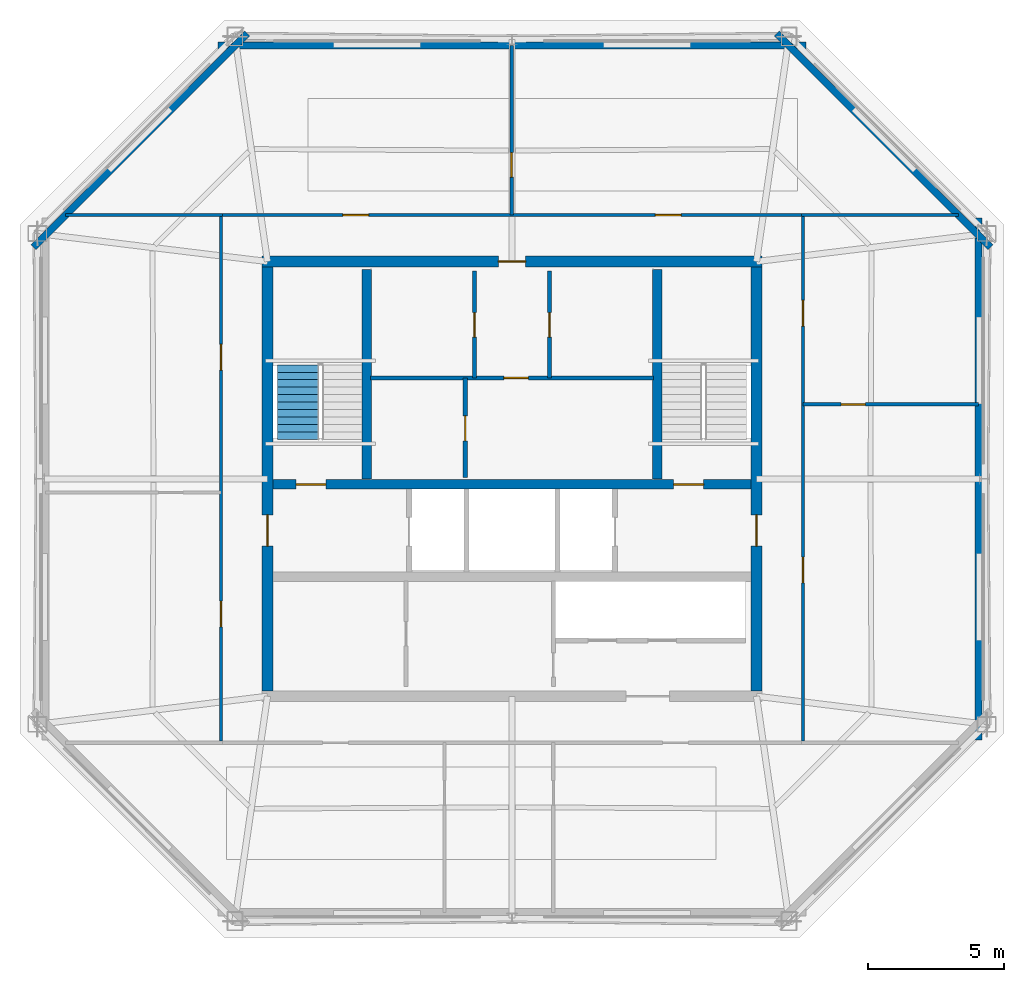
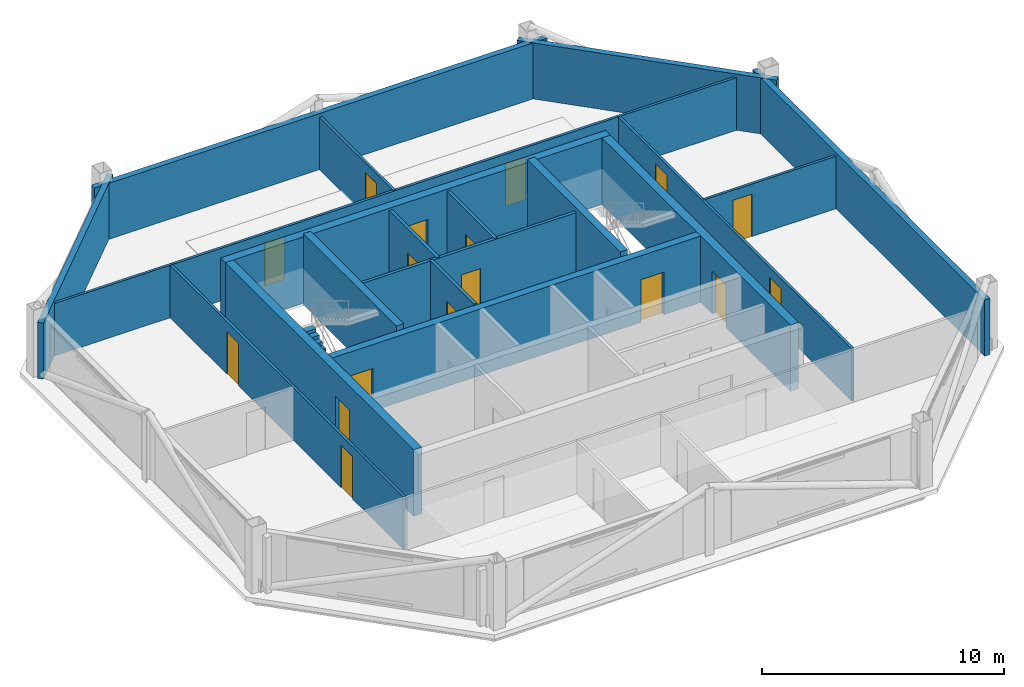
# One storey, part 3 of 5: 21 walls, 17 doors, 1 stair flight, 17 openings, 1 element without a shape of its own.
"""IFC4 building model written with IfcOpenShell, lengths in metres."""

from ifc_helpers import new_model, si_unit, direction, frame, frame_2d, origin, place, context, subcontext, project, spatial, polyline, rectangle, outline, extrude, material, layer, layer_set, type_object, element, fill, aggregate, save


model = new_model("IFC4")

# Units and contexts
model_context = context("Model", 3, precision=1e-05, world=origin(), true_north=direction((0.0, 1.0)))
body_context = subcontext(model_context, "Body", "Model", "MODEL_VIEW")
ifc_project = project(units=[si_unit("LENGTHUNIT", "METRE"), si_unit("AREAUNIT", "SQUARE_METRE"), si_unit("VOLUMEUNIT", "CUBIC_METRE"), si_unit("PLANEANGLEUNIT", "RADIAN"), si_unit("MASSUNIT", "GRAM", prefix="KILO")], contexts=[model_context])

# Site, building, storey
site_placement = place(None, origin())
site = spatial("IfcSite", under=ifc_project, at=site_placement, CompositionType="ELEMENT")
building_placement = place(site_placement, origin())
building = spatial("IfcBuilding", under=site, at=building_placement, Name="Caelvoria Tower", CompositionType="ELEMENT")
storey_placement = place(building_placement, frame((0.0, 0.0, 271.800048828125)))
storey = spatial("IfcBuildingStorey", under=building, at=storey_placement, Name="L72", CompositionType="ELEMENT", Elevation=271.800048828125)

# Wall, openings, doors
ifc_material_1 = material(Name="Concrete C50/60", Category="concrete")
ifc_layer_1 = layer(ifc_material_1, 0.35009765625, Name="Concrete C50/60")
ifc_layer_set_1 = layer_set([ifc_layer_1], Name="Core Internal Shear Wall 350 - Concrete C50/60")
wall_type_1 = type_object("IfcWallType", Name="Core Internal Shear Wall 350", PredefinedType="SHEAR", material=ifc_layer_set_1)
wall_1_placement = place(storey_placement, frame((37.199951171875, 31.800048828125, 0.0), z_axis=(0.0, 0.0, 1.0), x_axis=(1.0, 0.0, 0.0)))
wall_1 = element("IfcWall", 1, at=wall_1_placement, inside=storey, type_object=wall_type_1, Name="Core Shear Wall L72 M1", PredefinedType="SHEAR", context=body_context, shape_type="SweptSolid", body=[
    extrude(rectangle(XDim=17.60009765625, YDim=0.35009765625, at=frame_2d((8.800048828125, 0.0))), origin(), (0.0, 0.0, 1.0), 3.35986328125),
])
opening_1_placement = place(wall_1_placement, frame((0.85009765625, 0.0, 0.0)))
opening_1 = element("IfcOpeningElement", 2, at=opening_1_placement, cuts=wall_1, Name="Opening ID-01", PredefinedType="OPENING", context=body_context, shape_type="SweptSolid", body=[
    extrude(rectangle(XDim=1.10009765625, YDim=2.14990234375, at=frame_2d((0.550048828125, 1.074951171875))), frame((0.0, 0.18505859375, 0.0), z_axis=(0.0, -1.0, 0.0), x_axis=(1.0, 0.0, 0.0)), (0.0, 0.0, 1.0), 0.3701171875),
])
opening_2_placement = place(wall_1_placement, frame((14.75, 0.0, 0.0)))
opening_2 = element("IfcOpeningElement", 3, at=opening_2_placement, cuts=wall_1, Name="Opening ID-01", PredefinedType="OPENING", context=body_context, shape_type="SweptSolid", body=[
    extrude(rectangle(XDim=1.10009765625, YDim=2.14990234375, at=frame_2d((0.550048828125, 1.074951171875))), frame((0.0, 0.18505859375, 0.0), z_axis=(0.0, -1.0, 0.0), x_axis=(1.0, 0.0, 0.0)), (0.0, 0.0, 1.0), 0.3701171875),
])
ifc_material_2 = material(Name="Painted Hollow Steel Fire Door", Category="steel")
door_type_1 = type_object("IfcDoorType", Name="Fire Door FD90S 1100x2150", OperationType="NOTDEFINED", PredefinedType="DOOR", material=ifc_material_2)
door_1_placement = place(opening_1_placement, origin())
door_1 = element("IfcDoor", 4, at=door_1_placement, inside=storey, type_object=door_type_1, Name="Core Door DR-L72-ST1", OperationType="SINGLE_SWING_LEFT", OverallHeight=2.14990234375, OverallWidth=1.10009765625, PredefinedType="DOOR", context=body_context, shape_type="SweptSolid", body=[
    extrude(rectangle(XDim=1.10009765625, YDim=2.14990234375, at=frame_2d((0.550048828125, 1.074951171875))), frame((0.0, 0.02490234375, 0.0), z_axis=(0.0, -1.0, 0.0), x_axis=(1.0, 0.0, 0.0)), (0.0, 0.0, 1.0), 0.050048828125),
])
fill(opening_1, door_1)
door_2_placement = place(opening_2_placement, origin())
door_2 = element("IfcDoor", 5, at=door_2_placement, inside=storey, type_object=door_type_1, Name="Core Door DR-L72-ST2", OperationType="SINGLE_SWING_RIGHT", OverallHeight=2.14990234375, OverallWidth=1.10009765625, PredefinedType="DOOR", context=body_context, shape_type="SweptSolid", body=[
    extrude(rectangle(XDim=1.10009765625, YDim=2.14990234375, at=frame_2d((0.550048828125, 1.074951171875))), frame((0.0, 0.02490234375, 0.0), z_axis=(0.0, -1.0, 0.0), x_axis=(1.0, 0.0, 0.0)), (0.0, 0.0, 1.0), 0.050048828125),
])
fill(opening_2, door_2)

# Walls
for number, where, z_axis, x_axis, name in (
    (6, (40.64990234375, 32.0, 0.0), (0.0, 0.0, 1.0), (0.0, 1.0, 0.0), "Interior Partition IW-L72-ST1E"),
    (7, (51.35009765625, 32.0, 0.0), (0.0, 0.0, 1.0), (0.0, 1.0, 0.0), "Interior Partition IW-L72-ST2W"),
):
    element("IfcWall", number, at=place(storey_placement, frame(where, z_axis=z_axis, x_axis=x_axis)), inside=storey, type_object=wall_type_1, Name=name, PredefinedType="SHEAR", context=body_context, shape_type="SweptSolid", body=[
        extrude(rectangle(XDim=7.699951171875, YDim=0.35009765625, at=frame_2d((3.85009765625, 0.0))), origin(), (0.0, 0.0, 1.0), 3.599853515625),
    ])

# Wall, opening, door
ifc_material_3 = material(Name="Double Gypsum Board on Steel Stud", Category="steel")
ifc_layer_2 = layer(ifc_material_3, 0.14990234375, Name="Double Gypsum Board on Steel Stud")
ifc_layer_set_2 = layer_set([ifc_layer_2], Name="Core Service Acoustic Partition Wall 150 - Double Gypsum Board on Steel Stud")
wall_type_2 = type_object("IfcWallType", Name="Core Service Acoustic Partition Wall 150", PredefinedType="PARTITIONING", material=ifc_layer_set_2)
wall_2_placement = place(storey_placement, frame((44.6201171875, 35.719970703125, 0.0), z_axis=(0.0, 0.0, 1.0), x_axis=(0.0, 1.0, 0.0)))
wall_2 = element("IfcWall", 8, at=wall_2_placement, inside=storey, type_object=wall_type_2, Name="Interior Partition IW-L72-C0L", PredefinedType="PARTITIONING", context=body_context, shape_type="SweptSolid", body=[
    extrude(rectangle(XDim=3.929931640625, YDim=0.14990234375, at=frame_2d((1.96484375, 0.0))), origin(), (0.0, 0.0, 1.0), 3.375),
])
opening_3_placement = place(wall_2_placement, frame((1.5, 0.0, 0.0)))
opening_3 = element("IfcOpeningElement", 9, at=opening_3_placement, cuts=wall_2, Name="Opening ID-06", PredefinedType="OPENING", context=body_context, shape_type="SweptSolid", body=[
    extrude(rectangle(XDim=0.89990234375, YDim=2.14990234375, at=frame_2d((0.449951171875, 1.074951171875))), frame((0.0, 0.0849609375, 0.0), z_axis=(0.0, -1.0, 0.0), x_axis=(1.0, 0.0, 0.0)), (0.0, 0.0, 1.0), 0.169921875),
])
ifc_material_4 = material(Name="Engineered Andean Oak Veneer Door", Category="wood")
door_type_2 = type_object("IfcDoorType", Name="Interior Timber Door 900x2150", OperationType="NOTDEFINED", PredefinedType="DOOR", material=ifc_material_4)
door_3_placement = place(opening_3_placement, origin())
door_3 = element("IfcDoor", 10, at=door_3_placement, inside=storey, type_object=door_type_2, Name="Interior Door DR-L72-C01", OperationType="SINGLE_SWING_LEFT", OverallHeight=2.14990234375, OverallWidth=0.89990234375, PredefinedType="DOOR", context=body_context, shape_type="SweptSolid", body=[
    extrude(rectangle(XDim=0.89990234375, YDim=2.14990234375, at=frame_2d((0.449951171875, 1.074951171875))), frame((0.0, 0.02490234375, 0.0), z_axis=(0.0, -1.0, 0.0), x_axis=(1.0, 0.0, 0.0)), (0.0, 0.0, 1.0), 0.050048828125),
])
fill(opening_3, door_3)

wall_3_placement = place(storey_placement, frame((47.3798828125, 35.719970703125, 0.0), z_axis=(0.0, 0.0, 1.0), x_axis=(0.0, 1.0, 0.0)))
wall_3 = element("IfcWall", 11, at=wall_3_placement, inside=storey, type_object=wall_type_2, Name="Interior Partition IW-L72-C0R", PredefinedType="PARTITIONING", context=body_context, shape_type="SweptSolid", body=[
    extrude(rectangle(XDim=3.929931640625, YDim=0.14990234375, at=frame_2d((1.96484375, 0.0))), origin(), (0.0, 0.0, 1.0), 3.375),
])
opening_4_placement = place(wall_3_placement, frame((1.5, 0.0, 0.0)))
opening_4 = element("IfcOpeningElement", 12, at=opening_4_placement, cuts=wall_3, Name="Opening ID-06", PredefinedType="OPENING", context=body_context, shape_type="SweptSolid", body=[
    extrude(rectangle(XDim=0.89990234375, YDim=2.14990234375, at=frame_2d((0.449951171875, 1.074951171875))), frame((0.0, 0.0849609375, 0.0), z_axis=(0.0, -1.0, 0.0), x_axis=(1.0, 0.0, 0.0)), (0.0, 0.0, 1.0), 0.169921875),
])
door_4_placement = place(opening_4_placement, origin())
door_4 = element("IfcDoor", 13, at=door_4_placement, inside=storey, type_object=door_type_2, Name="Interior Door DR-L72-C02", OperationType="SINGLE_SWING_RIGHT", OverallHeight=2.14990234375, OverallWidth=0.89990234375, PredefinedType="DOOR", context=body_context, shape_type="SweptSolid", body=[
    extrude(rectangle(XDim=0.89990234375, YDim=2.14990234375, at=frame_2d((0.449951171875, 1.074951171875))), frame((0.0, 0.02490234375, 0.0), z_axis=(0.0, -1.0, 0.0), x_axis=(1.0, 0.0, 0.0)), (0.0, 0.0, 1.0), 0.050048828125),
])
fill(opening_4, door_4)

wall_4_placement = place(storey_placement, frame((44.280029296875, 32.050048828125, 0.0), z_axis=(0.0, 0.0, 1.0), x_axis=(0.0, 1.0, 0.0)))
wall_4 = element("IfcWall", 14, at=wall_4_placement, inside=storey, type_object=wall_type_2, Name="Interior Partition IW-L72-C0M", PredefinedType="PARTITIONING", context=body_context, shape_type="SweptSolid", body=[
    extrude(rectangle(XDim=3.669921875, YDim=0.14990234375, at=frame_2d((1.8349609375, 0.0))), origin(), (0.0, 0.0, 1.0), 3.375),
])
opening_5_placement = place(wall_4_placement, frame((1.35009765625, 0.0, 0.0)))
opening_5 = element("IfcOpeningElement", 15, at=opening_5_placement, cuts=wall_4, Name="Opening ID-07", PredefinedType="OPENING", context=body_context, shape_type="SweptSolid", body=[
    extrude(rectangle(XDim=0.919921875, YDim=2.14990234375, at=frame_2d((0.4599609375, 1.074951171875))), frame((0.0, 0.0849609375, 0.0), z_axis=(0.0, -1.0, 0.0), x_axis=(1.0, 0.0, 0.0)), (0.0, 0.0, 1.0), 0.169921875),
])
ifc_material_5 = material(Name="Engineered Andean Oak Accessible Door", Category="wood")
door_type_3 = type_object("IfcDoorType", Name="Accessible WC Door 950x2150", OperationType="NOTDEFINED", PredefinedType="DOOR", material=ifc_material_5)
door_5_placement = place(opening_5_placement, origin())
door_5 = element("IfcDoor", 16, at=door_5_placement, inside=storey, type_object=door_type_3, Name="Interior Door DR-L72-C05", OperationType="SINGLE_SWING_LEFT", OverallHeight=2.14990234375, OverallWidth=0.919921875, PredefinedType="DOOR", context=body_context, shape_type="SweptSolid", body=[
    extrude(rectangle(XDim=0.919921875, YDim=2.14990234375, at=frame_2d((0.4599609375, 1.074951171875))), frame((0.0, 0.02490234375, 0.0), z_axis=(0.0, -1.0, 0.0), x_axis=(1.0, 0.0, 0.0)), (0.0, 0.0, 1.0), 0.050048828125),
])
fill(opening_5, door_5)

wall_5_placement = place(storey_placement, frame((40.800048828125, 35.719970703125, 0.0), z_axis=(0.0, 0.0, 1.0), x_axis=(1.0, 0.0, 0.0)))
wall_5 = element("IfcWall", 17, at=wall_5_placement, inside=storey, type_object=wall_type_2, Name="Interior Partition IW-L72-C0H", PredefinedType="PARTITIONING", context=body_context, shape_type="SweptSolid", body=[
    extrude(rectangle(XDim=10.39990234375, YDim=0.14990234375, at=frame_2d((5.199951171875, 0.0))), origin(), (0.0, 0.0, 1.0), 3.375),
])
opening_6_placement = place(wall_5_placement, frame((4.89990234375, 0.0, 0.0)))
opening_6 = element("IfcOpeningElement", 18, at=opening_6_placement, cuts=wall_5, Name="Opening ID-04", PredefinedType="OPENING", context=body_context, shape_type="SweptSolid", body=[
    extrude(rectangle(XDim=0.89990234375, YDim=2.14990234375, at=frame_2d((0.449951171875, 1.074951171875))), frame((0.0, 0.0849609375, 0.0), z_axis=(0.0, -1.0, 0.0), x_axis=(1.0, 0.0, 0.0)), (0.0, 0.0, 1.0), 0.169921875),
])
ifc_material_6 = material(Name="Acoustic Timber Fire Door", Category="wood")
door_type_4 = type_object("IfcDoorType", Name="Fire Door FD30S 900x2150", OperationType="NOTDEFINED", PredefinedType="DOOR", material=ifc_material_6)
door_6_placement = place(opening_6_placement, origin())
door_6 = element("IfcDoor", 19, at=door_6_placement, inside=storey, type_object=door_type_4, Name="Interior Door DR-L72-C04", OperationType="SINGLE_SWING_RIGHT", OverallHeight=2.14990234375, OverallWidth=0.89990234375, PredefinedType="DOOR", context=body_context, shape_type="SweptSolid", body=[
    extrude(rectangle(XDim=0.89990234375, YDim=2.14990234375, at=frame_2d((0.449951171875, 1.074951171875))), frame((0.0, 0.02490234375, 0.0), z_axis=(0.0, -1.0, 0.0), x_axis=(1.0, 0.0, 0.0)), (0.0, 0.0, 1.0), 0.050048828125),
])
fill(opening_6, door_6)

ifc_layer_3 = layer(ifc_material_1, 0.39990234375, Name="Concrete C50/60")
ifc_layer_set_3 = layer_set([ifc_layer_3], Name="Summit Core Shear Wall 400 - Concrete C50/60")
wall_type_3 = type_object("IfcWallType", Name="Summit Core Shear Wall 400", PredefinedType="SHEAR", material=ifc_layer_set_3)
wall_6_placement = place(storey_placement, frame((36.800048828125, 40.0, 0.0), z_axis=(0.0, 0.0, 1.0), x_axis=(1.0, 0.0, 0.0)))
wall_6 = element("IfcWall", 20, at=wall_6_placement, inside=storey, type_object=wall_type_3, Name="Core Shear Wall L72 N", PredefinedType="SHEAR", context=body_context, shape_type="SweptSolid", body=[
    extrude(rectangle(XDim=18.39990234375, YDim=0.39990234375, at=frame_2d((9.199951171875, 0.0))), origin(), (0.0, 0.0, 1.0), 3.35986328125),
])
opening_7_placement = place(wall_6_placement, frame((8.699951171875, 0.0, 0.0)))
opening_7 = element("IfcOpeningElement", 21, at=opening_7_placement, cuts=wall_6, Name="Opening ID-03", PredefinedType="OPENING", context=body_context, shape_type="SweptSolid", body=[
    extrude(rectangle(XDim=1.0, YDim=2.14990234375, at=frame_2d((0.5, 1.074951171875))), frame((0.0, 0.2099609375, 0.0), z_axis=(0.0, -1.0, 0.0), x_axis=(1.0, 0.0, 0.0)), (0.0, 0.0, 1.0), 0.419921875),
])
door_type_5 = type_object("IfcDoorType", Name="Fire Door FD60S 1000x2150", OperationType="NOTDEFINED", PredefinedType="DOOR", material=ifc_material_2)
door_7_placement = place(opening_7_placement, origin())
door_7 = element("IfcDoor", 22, at=door_7_placement, inside=storey, type_object=door_type_5, Name="Core Door DR-L72-WC-MAIN", OperationType="SINGLE_SWING_RIGHT", OverallHeight=2.14990234375, OverallWidth=1.0, PredefinedType="DOOR", context=body_context, shape_type="SweptSolid", body=[
    extrude(rectangle(XDim=1.0, YDim=2.14990234375, at=frame_2d((0.5, 1.074951171875))), frame((0.0, 0.02490234375, 0.0), z_axis=(0.0, -1.0, 0.0), x_axis=(1.0, 0.0, 0.0)), (0.0, 0.0, 1.0), 0.050048828125),
])
fill(opening_7, door_7)

wall_7_placement = place(storey_placement, frame((37.0, 24.199951171875, 0.0), z_axis=(0.0, 0.0, 1.0), x_axis=(0.0, 1.0, 0.0)))
wall_7 = element("IfcWall", 23, at=wall_7_placement, inside=storey, type_object=wall_type_3, Name="Core Shear Wall L72 W", PredefinedType="SHEAR", context=body_context, shape_type="SweptSolid", body=[
    extrude(rectangle(XDim=15.60009765625, YDim=0.39990234375, at=frame_2d((7.800048828125, 0.0))), origin(), (0.0, 0.0, 1.0), 3.35986328125),
])
opening_8_placement = place(wall_7_placement, frame((5.324951171875, 0.0, 0.0)))
opening_8 = element("IfcOpeningElement", 24, at=opening_8_placement, cuts=wall_7, Name="Opening ID-02", PredefinedType="OPENING", context=body_context, shape_type="SweptSolid", body=[
    extrude(rectangle(XDim=1.14990234375, YDim=2.14990234375, at=frame_2d((0.574951171875, 1.074951171875))), frame((0.0, 0.2099609375, 0.0), z_axis=(0.0, -1.0, 0.0), x_axis=(1.0, 0.0, 0.0)), (0.0, 0.0, 1.0), 0.419921875),
])
door_type_6 = type_object("IfcDoorType", Name="Fire Door FD60S 1150x2150", OperationType="NOTDEFINED", PredefinedType="DOOR", material=ifc_material_2)
door_8_placement = place(opening_8_placement, origin())
door_8 = element("IfcDoor", 25, at=door_8_placement, inside=storey, type_object=door_type_6, Name="Core Door DR-L72-FFLW-OUT", OperationType="SINGLE_SWING_LEFT", OverallHeight=2.14990234375, OverallWidth=1.14990234375, PredefinedType="DOOR", context=body_context, shape_type="SweptSolid", body=[
    extrude(rectangle(XDim=1.14990234375, YDim=2.14990234375, at=frame_2d((0.574951171875, 1.074951171875))), frame((0.0, 0.02490234375, 0.0), z_axis=(0.0, -1.0, 0.0), x_axis=(1.0, 0.0, 0.0)), (0.0, 0.0, 1.0), 0.050048828125),
])
fill(opening_8, door_8)

wall_8_placement = place(storey_placement, frame((55.0, 24.199951171875, 0.0), z_axis=(0.0, 0.0, 1.0), x_axis=(0.0, 1.0, 0.0)))
wall_8 = element("IfcWall", 26, at=wall_8_placement, inside=storey, type_object=wall_type_3, Name="Core Shear Wall L72 E", PredefinedType="SHEAR", context=body_context, shape_type="SweptSolid", body=[
    extrude(rectangle(XDim=15.60009765625, YDim=0.39990234375, at=frame_2d((7.800048828125, 0.0))), origin(), (0.0, 0.0, 1.0), 3.35986328125),
])
opening_9_placement = place(wall_8_placement, frame((5.324951171875, 0.0, 0.0)))
opening_9 = element("IfcOpeningElement", 27, at=opening_9_placement, cuts=wall_8, Name="Opening ID-02", PredefinedType="OPENING", context=body_context, shape_type="SweptSolid", body=[
    extrude(rectangle(XDim=1.14990234375, YDim=2.14990234375, at=frame_2d((0.574951171875, 1.074951171875))), frame((0.0, 0.2099609375, 0.0), z_axis=(0.0, -1.0, 0.0), x_axis=(1.0, 0.0, 0.0)), (0.0, 0.0, 1.0), 0.419921875),
])
door_9_placement = place(opening_9_placement, origin())
door_9 = element("IfcDoor", 28, at=door_9_placement, inside=storey, type_object=door_type_6, Name="Core Door DR-L72-FFLE-OUT", OperationType="SINGLE_SWING_RIGHT", OverallHeight=2.14990234375, OverallWidth=1.14990234375, PredefinedType="DOOR", context=body_context, shape_type="SweptSolid", body=[
    extrude(rectangle(XDim=1.14990234375, YDim=2.14990234375, at=frame_2d((0.574951171875, 1.074951171875))), frame((0.0, 0.02490234375, 0.0), z_axis=(0.0, -1.0, 0.0), x_axis=(1.0, 0.0, 0.0)), (0.0, 0.0, 1.0), 0.050048828125),
])
fill(opening_9, door_9)

ifc_material_7 = material(Name="Acoustic Gypsum Board on Light-Gauge Stud", Category="gypsum")
ifc_layer_4 = layer(ifc_material_7, 0.1201171875, Name="Acoustic Gypsum Board on Light-Gauge Stud")
ifc_layer_set_4 = layer_set([ifc_layer_4], Name="Tenant Suite Acoustic Partition Wall 120 - Acoustic Gypsum Board on Light-Gauge Stud")
wall_type_4 = type_object("IfcWallType", Name="Tenant Suite Acoustic Partition Wall 120", PredefinedType="PARTITIONING", material=ifc_layer_set_4)
wall_9_placement = place(storey_placement, frame((45.9873046875, 41.7099609375, 0.0), z_axis=(0.0, 0.0, 1.0), x_axis=(0.0, 1.0, 0.0)))
wall_9 = element("IfcWall", 29, at=wall_9_placement, inside=storey, type_object=wall_type_4, Name="Interior Partition IW-L72-ND-00-0", PredefinedType="PARTITIONING", context=body_context, shape_type="SweptSolid", body=[
    extrude(rectangle(XDim=6.240966796875, YDim=0.1201171875, at=frame_2d((3.12060546875, 0.0))), origin(), (0.0, 0.0, 1.0), 2.655029296875),
])
opening_10_placement = place(wall_9_placement, frame((1.39990234375, 0.0, 0.0)))
opening_10 = element("IfcOpeningElement", 30, at=opening_10_placement, cuts=wall_9, Name="Opening ID-06", PredefinedType="OPENING", context=body_context, shape_type="SweptSolid", body=[
    extrude(rectangle(XDim=0.89990234375, YDim=2.14990234375, at=frame_2d((0.449951171875, 1.074951171875))), frame((0.0, 0.070068359375, 0.0), z_axis=(0.0, -1.0, 0.0), x_axis=(1.0, 0.0, 0.0)), (0.0, 0.0, 1.0), 0.14013671875),
])
door_10_placement = place(opening_10_placement, origin())
door_10 = element("IfcDoor", 31, at=door_10_placement, inside=storey, type_object=door_type_2, Name="Interior Door DR-L72-NM-00-0", OperationType="SINGLE_SWING_RIGHT", OverallHeight=2.14990234375, OverallWidth=0.89990234375, PredefinedType="DOOR", context=body_context, shape_type="SweptSolid", body=[
    extrude(rectangle(XDim=0.89990234375, YDim=2.14990234375, at=frame_2d((0.449951171875, 1.074951171875))), frame((0.0, 0.02490234375, 0.0), z_axis=(0.0, -1.0, 0.0), x_axis=(1.0, 0.0, 0.0)), (0.0, 0.0, 1.0), 0.050048828125),
])
fill(opening_10, door_10)

# Wall, openings, doors
wall_10_placement = place(storey_placement, frame((35.35009765625, 41.7099609375, 0.0), z_axis=(0.0, 0.0, 1.0), x_axis=(1.0, 0.0, 0.0)))
wall_10 = element("IfcWall", 32, at=wall_10_placement, inside=storey, type_object=wall_type_4, Name="Interior Partition IW-L72-NCW-0", PredefinedType="PARTITIONING", context=body_context, shape_type="SweptSolid", body=[
    extrude(rectangle(XDim=21.2998046875, YDim=0.1201171875, at=frame_2d((10.64990234375, 0.0))), origin(), (0.0, 0.0, 1.0), 2.655029296875),
])
opening_11_placement = place(wall_10_placement, frame((4.425048828125, 0.0, 0.0)))
opening_11 = element("IfcOpeningElement", 33, at=opening_11_placement, cuts=wall_10, Name="Opening ID-05", PredefinedType="OPENING", context=body_context, shape_type="SweptSolid", body=[
    extrude(rectangle(XDim=0.949951171875, YDim=2.14990234375, at=frame_2d((0.47509765625, 1.074951171875))), frame((0.0, 0.070068359375, 0.0), z_axis=(0.0, -1.0, 0.0), x_axis=(1.0, 0.0, 0.0)), (0.0, 0.0, 1.0), 0.14013671875),
])
opening_12_placement = place(wall_10_placement, frame((15.925048828125, 0.0, 0.0)))
opening_12 = element("IfcOpeningElement", 34, at=opening_12_placement, cuts=wall_10, Name="Opening ID-05", PredefinedType="OPENING", context=body_context, shape_type="SweptSolid", body=[
    extrude(rectangle(XDim=0.949951171875, YDim=2.14990234375, at=frame_2d((0.47509765625, 1.074951171875))), frame((0.0, 0.070068359375, 0.0), z_axis=(0.0, -1.0, 0.0), x_axis=(1.0, 0.0, 0.0)), (0.0, 0.0, 1.0), 0.14013671875),
])
door_type_7 = type_object("IfcDoorType", Name="Interior Timber Door 950x2150", OperationType="NOTDEFINED", PredefinedType="DOOR", material=ifc_material_4)
door_11_placement = place(opening_11_placement, origin())
door_11 = element("IfcDoor", 35, at=door_11_placement, inside=storey, type_object=door_type_7, Name="Interior Door DR-L72-NC-00-0", OperationType="SINGLE_SWING_LEFT", OverallHeight=2.14990234375, OverallWidth=0.949951171875, PredefinedType="DOOR", context=body_context, shape_type="SweptSolid", body=[
    extrude(rectangle(XDim=0.949951171875, YDim=2.14990234375, at=frame_2d((0.47509765625, 1.074951171875))), frame((0.0, 0.02490234375, 0.0), z_axis=(0.0, -1.0, 0.0), x_axis=(1.0, 0.0, 0.0)), (0.0, 0.0, 1.0), 0.050048828125),
])
fill(opening_11, door_11)
door_12_placement = place(opening_12_placement, origin())
door_12 = element("IfcDoor", 36, at=door_12_placement, inside=storey, type_object=door_type_7, Name="Interior Door DR-L72-NC-01-0", OperationType="SINGLE_SWING_RIGHT", OverallHeight=2.14990234375, OverallWidth=0.949951171875, PredefinedType="DOOR", context=body_context, shape_type="SweptSolid", body=[
    extrude(rectangle(XDim=0.949951171875, YDim=2.14990234375, at=frame_2d((0.47509765625, 1.074951171875))), frame((0.0, 0.02490234375, 0.0), z_axis=(0.0, -1.0, 0.0), x_axis=(1.0, 0.0, 0.0)), (0.0, 0.0, 1.0), 0.050048828125),
])
fill(opening_12, door_12)

wall_11_placement = place(storey_placement, frame((35.2900390625, 22.35009765625, 0.0), z_axis=(0.0, 0.0, 1.0), x_axis=(0.0, 1.0, 0.0)))
wall_11 = element("IfcWall", 37, at=wall_11_placement, inside=storey, type_object=wall_type_4, Name="Interior Partition IW-L72-WCW-0", PredefinedType="PARTITIONING", context=body_context, shape_type="SweptSolid", body=[
    extrude(rectangle(XDim=19.2998046875, YDim=0.1201171875, at=frame_2d((9.64990234375, 0.0))), origin(), (0.0, 0.0, 1.0), 2.655029296875),
])
opening_13_placement = place(wall_11_placement, frame((4.201416015625, 0.0, 0.0)))
opening_13 = element("IfcOpeningElement", 38, at=opening_13_placement, cuts=wall_11, Name="Opening ID-05", PredefinedType="OPENING", context=body_context, shape_type="SweptSolid", body=[
    extrude(rectangle(XDim=0.949951171875, YDim=2.14990234375, at=frame_2d((0.47509765625, 1.074951171875))), frame((0.0, 0.070068359375, 0.0), z_axis=(0.0, -1.0, 0.0), x_axis=(1.0, 0.0, 0.0)), (0.0, 0.0, 1.0), 0.14013671875),
])
opening_14_placement = place(wall_11_placement, frame((13.6513671875, 0.0, 0.0)))
opening_14 = element("IfcOpeningElement", 39, at=opening_14_placement, cuts=wall_11, Name="Opening ID-05", PredefinedType="OPENING", context=body_context, shape_type="SweptSolid", body=[
    extrude(rectangle(XDim=0.949951171875, YDim=2.14990234375, at=frame_2d((0.47509765625, 1.074951171875))), frame((0.0, 0.070068359375, 0.0), z_axis=(0.0, -1.0, 0.0), x_axis=(1.0, 0.0, 0.0)), (0.0, 0.0, 1.0), 0.14013671875),
])
door_13_placement = place(opening_13_placement, origin())
door_13 = element("IfcDoor", 40, at=door_13_placement, inside=storey, type_object=door_type_7, Name="Interior Door DR-L72-WC-00-0", OperationType="SINGLE_SWING_LEFT", OverallHeight=2.14990234375, OverallWidth=0.949951171875, PredefinedType="DOOR", context=body_context, shape_type="SweptSolid", body=[
    extrude(rectangle(XDim=0.949951171875, YDim=2.14990234375, at=frame_2d((0.47509765625, 1.074951171875))), frame((0.0, 0.02490234375, 0.0), z_axis=(0.0, -1.0, 0.0), x_axis=(1.0, 0.0, 0.0)), (0.0, 0.0, 1.0), 0.050048828125),
])
fill(opening_13, door_13)
door_14_placement = place(opening_14_placement, origin())
door_14 = element("IfcDoor", 41, at=door_14_placement, inside=storey, type_object=door_type_7, Name="Interior Door DR-L72-WC-01-0", OperationType="SINGLE_SWING_RIGHT", OverallHeight=2.14990234375, OverallWidth=0.949951171875, PredefinedType="DOOR", context=body_context, shape_type="SweptSolid", body=[
    extrude(rectangle(XDim=0.949951171875, YDim=2.14990234375, at=frame_2d((0.47509765625, 1.074951171875))), frame((0.0, 0.02490234375, 0.0), z_axis=(0.0, -1.0, 0.0), x_axis=(1.0, 0.0, 0.0)), (0.0, 0.0, 1.0), 0.050048828125),
])
fill(opening_14, door_14)

# Wall, opening, door
wall_12_placement = place(storey_placement, frame((56.7099609375, 34.744873046875, 0.0), z_axis=(0.0, 0.0, 1.0), x_axis=(1.0, 0.0, 0.0)))
wall_12 = element("IfcWall", 42, at=wall_12_placement, inside=storey, type_object=wall_type_4, Name="Interior Partition IW-L72-ED-00-0", PredefinedType="PARTITIONING", context=body_context, shape_type="SweptSolid", body=[
    extrude(rectangle(XDim=6.459228515625, YDim=0.1201171875, at=frame_2d((3.2294921875, 0.0))), origin(), (0.0, 0.0, 1.0), 2.655029296875),
])
opening_15_placement = place(wall_12_placement, frame((1.39990234375, 0.0, 0.0)))
opening_15 = element("IfcOpeningElement", 43, at=opening_15_placement, cuts=wall_12, Name="Opening ID-06", PredefinedType="OPENING", context=body_context, shape_type="SweptSolid", body=[
    extrude(rectangle(XDim=0.89990234375, YDim=2.14990234375, at=frame_2d((0.449951171875, 1.074951171875))), frame((0.0, 0.070068359375, 0.0), z_axis=(0.0, -1.0, 0.0), x_axis=(1.0, 0.0, 0.0)), (0.0, 0.0, 1.0), 0.14013671875),
])
door_15_placement = place(opening_15_placement, origin())
door_15 = element("IfcDoor", 44, at=door_15_placement, inside=storey, type_object=door_type_2, Name="Interior Door DR-L72-EM-00-0", OperationType="SINGLE_SWING_RIGHT", OverallHeight=2.14990234375, OverallWidth=0.89990234375, PredefinedType="DOOR", context=body_context, shape_type="SweptSolid", body=[
    extrude(rectangle(XDim=0.89990234375, YDim=2.14990234375, at=frame_2d((0.449951171875, 1.074951171875))), frame((0.0, 0.02490234375, 0.0), z_axis=(0.0, -1.0, 0.0), x_axis=(1.0, 0.0, 0.0)), (0.0, 0.0, 1.0), 0.050048828125),
])
fill(opening_15, door_15)

# Wall, openings, doors
wall_13_placement = place(storey_placement, frame((56.7099609375, 22.35009765625, 0.0), z_axis=(0.0, 0.0, 1.0), x_axis=(0.0, 1.0, 0.0)))
wall_13 = element("IfcWall", 45, at=wall_13_placement, inside=storey, type_object=wall_type_4, Name="Interior Partition IW-L72-ECW-0", PredefinedType="PARTITIONING", context=body_context, shape_type="SweptSolid", body=[
    extrude(rectangle(XDim=19.2998046875, YDim=0.1201171875, at=frame_2d((9.64990234375, 0.0))), origin(), (0.0, 0.0, 1.0), 2.655029296875),
])
opening_16_placement = place(wall_13_placement, frame((5.822509765625, 0.0, 0.0)))
opening_16 = element("IfcOpeningElement", 46, at=opening_16_placement, cuts=wall_13, Name="Opening ID-05", PredefinedType="OPENING", context=body_context, shape_type="SweptSolid", body=[
    extrude(rectangle(XDim=0.949951171875, YDim=2.14990234375, at=frame_2d((0.47509765625, 1.074951171875))), frame((0.0, 0.070068359375, 0.0), z_axis=(0.0, -1.0, 0.0), x_axis=(1.0, 0.0, 0.0)), (0.0, 0.0, 1.0), 0.14013671875),
])
opening_17_placement = place(wall_13_placement, frame((15.2724609375, 0.0, 0.0)))
opening_17 = element("IfcOpeningElement", 47, at=opening_17_placement, cuts=wall_13, Name="Opening ID-05", PredefinedType="OPENING", context=body_context, shape_type="SweptSolid", body=[
    extrude(rectangle(XDim=0.949951171875, YDim=2.14990234375, at=frame_2d((0.47509765625, 1.074951171875))), frame((0.0, 0.070068359375, 0.0), z_axis=(0.0, -1.0, 0.0), x_axis=(1.0, 0.0, 0.0)), (0.0, 0.0, 1.0), 0.14013671875),
])
door_16_placement = place(opening_16_placement, origin())
door_16 = element("IfcDoor", 48, at=door_16_placement, inside=storey, type_object=door_type_7, Name="Interior Door DR-L72-EC-00-0", OperationType="SINGLE_SWING_LEFT", OverallHeight=2.14990234375, OverallWidth=0.949951171875, PredefinedType="DOOR", context=body_context, shape_type="SweptSolid", body=[
    extrude(rectangle(XDim=0.949951171875, YDim=2.14990234375, at=frame_2d((0.47509765625, 1.074951171875))), frame((0.0, 0.02490234375, 0.0), z_axis=(0.0, -1.0, 0.0), x_axis=(1.0, 0.0, 0.0)), (0.0, 0.0, 1.0), 0.050048828125),
])
fill(opening_16, door_16)
door_17_placement = place(opening_17_placement, origin())
door_17 = element("IfcDoor", 49, at=door_17_placement, inside=storey, type_object=door_type_7, Name="Interior Door DR-L72-EC-01-0", OperationType="SINGLE_SWING_RIGHT", OverallHeight=2.14990234375, OverallWidth=0.949951171875, PredefinedType="DOOR", context=body_context, shape_type="SweptSolid", body=[
    extrude(rectangle(XDim=0.949951171875, YDim=2.14990234375, at=frame_2d((0.47509765625, 1.074951171875))), frame((0.0, 0.02490234375, 0.0), z_axis=(0.0, -1.0, 0.0), x_axis=(1.0, 0.0, 0.0)), (0.0, 0.0, 1.0), 0.050048828125),
])
fill(opening_17, door_17)

# Walls
for number, where, z_axis, x_axis, name in (
    (50, (35.35009765625, 41.7099609375, 0.0), (0.0, 0.0, 1.0), (-1.0, 0.0, 0.0), "Interior Partition IW-L72-BNW-0"),
    (51, (56.64990234375, 41.7099609375, 0.0), (0.0, 0.0, 1.0), (1.0, 0.0, 0.0), "Interior Partition IW-L72-BNE-0"),
):
    element("IfcWall", number, at=place(storey_placement, frame(where, z_axis=z_axis, x_axis=x_axis)), inside=storey, type_object=wall_type_4, Name=name, PredefinedType="PARTITIONING", context=body_context, shape_type="SweptSolid", body=[
        extrude(rectangle(XDim=5.783447265625, YDim=0.1201171875, at=frame_2d((2.8916015625, 0.0))), origin(), (0.0, 0.0, 1.0), 2.655029296875),
    ])
ifc_material_8 = material(Name="Precast Concrete C40/50 with Bronze Cladding", Category="concrete")
ifc_layer_5 = layer(ifc_material_8, 0.264892578125, Name="Precast Concrete C40/50 with Bronze Cladding")
ifc_layer_set_5 = layer_set([ifc_layer_5], Name="Upper Taper Precast Concrete C40/50 Bronze Facade Wall 265 - Precast Concrete C40/50 with Bronze Cladding")
wall_type_5 = type_object("IfcWallType", Name="Upper Taper Precast Concrete C40/50 Bronze Facade Wall 265", PredefinedType="STANDARD", material=ifc_layer_set_5)
wall_14_placement = place(storey_placement, frame((63.169189453125, 22.396484375, 0.0), z_axis=(0.0, 0.0, 1.0), x_axis=(0.0, 1.0, 0.0)))
element("IfcWall", 52, at=wall_14_placement, inside=storey, type_object=wall_type_5, Name="Exterior Facade Wall L72-E2", PredefinedType="STANDARD", context=body_context, shape_type="SweptSolid", body=[
    extrude(rectangle(XDim=19.20703125, YDim=0.264892578125, at=frame_2d((9.603515625, 0.0))), origin(), (0.0, 0.0, 1.0), 2.83203125),
])
wall_15_placement = place(storey_placement, frame((63.614013671875, 40.529296875, 0.0), z_axis=(0.0, 0.0, 1.0), x_axis=(-0.707106781187, 0.707106781187, 0.0)))
element("IfcWall", 53, at=wall_15_placement, inside=storey, type_object=wall_type_5, Name="Exterior Facade Wall L72-E3", PredefinedType="STANDARD", context=body_context, shape_type="SweptSolid", body=[
    extrude(rectangle(XDim=11.125244140625, YDim=0.264892578125, at=frame_2d((5.5625, 0.0))), origin(), (0.0, 0.0, 1.0), 2.83203125),
])
wall_16_placement = place(storey_placement, frame((56.82177734375, 47.950927734375, 0.0), z_axis=(0.0, 0.0, 1.0), x_axis=(-1.0, 0.0, 0.0)))
element("IfcWall", 54, at=wall_16_placement, inside=storey, type_object=wall_type_5, Name="Exterior Facade Wall L72-E4", PredefinedType="STANDARD", context=body_context, shape_type="SweptSolid", body=[
    extrude(rectangle(XDim=21.6435546875, YDim=0.264892578125, at=frame_2d((10.82177734375, 0.0))), origin(), (0.0, 0.0, 1.0), 2.83203125),
])
wall_17_placement = place(storey_placement, frame((36.252685546875, 48.39599609375, 0.0), z_axis=(0.0, 0.0, 1.0), x_axis=(-0.707106781187, -0.707106781187, 0.0)))
element("IfcWall", 55, at=wall_17_placement, inside=storey, type_object=wall_type_5, Name="Exterior Facade Wall L72-E5", PredefinedType="STANDARD", context=body_context, shape_type="SweptSolid", body=[
    extrude(rectangle(XDim=11.125244140625, YDim=0.264892578125, at=frame_2d((5.5625, 0.0))), origin(), (0.0, 0.0, 1.0), 2.83203125),
])

# Stair, stair flight
ifc_material_9 = material(Name="Concrete C40/50", Category="concrete")
stair_type = type_object("IfcStairType", Name="Core Smokeproof Dogleg Stair Concrete C40/50", PredefinedType="HALF_TURN_STAIR", material=ifc_material_9)
stair_placement = place(storey_placement, origin())
stair = element("IfcStair", 56, at=stair_placement, inside=storey, type_object=stair_type, Name="ST-01 Smokeproof Exit Stair L72", PredefinedType="HALF_TURN_STAIR")
ifc_material_10 = material(Name="Precast Concrete C40/50", Category="concrete")
stair_flight_type = type_object("IfcStairFlightType", Name="Precast Concrete C40/50 Stair Flight 1480", PredefinedType="STRAIGHT", material=ifc_material_10)
stair_flight_placement = place(storey_placement, frame((38.1298828125, 33.449951171875, 0.0), z_axis=(0.0, 0.0, 1.0), x_axis=(0.0, 1.0, 0.0)))
stair_flight = element("IfcStairFlight", 57, at=stair_flight_placement, type_object=stair_flight_type, Name="ST-01 flight 1", NumberOfRisers=11, NumberOfTreads=10, PredefinedType="STRAIGHT", RiserHeight=0.1636, TreadLength=0.275, context=body_context, shape_type="SweptSolid", body=[
    extrude(outline(polyline([(0.0, 0.0), (0.0, 0.16357421875), (0.27490234375, 0.16357421875), (0.27490234375, 0.3271484375), (0.550048828125, 0.3271484375), (0.550048828125, 0.49072265625), (0.824951171875, 0.49072265625), (0.824951171875, 0.654296875), (1.10009765625, 0.654296875), (1.10009765625, 0.818115234375), (1.375, 0.818115234375), (1.375, 0.981689453125), (1.64990234375, 0.981689453125), (1.64990234375, 1.145263671875), (1.925048828125, 1.145263671875), (1.925048828125, 1.308837890625), (2.199951171875, 1.308837890625), (2.199951171875, 1.472412109375), (2.47509765625, 1.472412109375), (2.47509765625, 1.635986328125), (2.75, 1.635986328125), (2.75, 1.799560546875), (2.75, 1.449951171875), (0.312744140625, 0.0), (0.0, 0.0)])), frame((0.0, 0.77001953125, 0.0), z_axis=(0.0, -1.0, 0.0), x_axis=(1.0, 0.0, 0.0)), (0.0, 0.0, 1.0), 1.5400390625),
])
aggregate(stair, [stair_flight])

save(model, "model.ifc")
